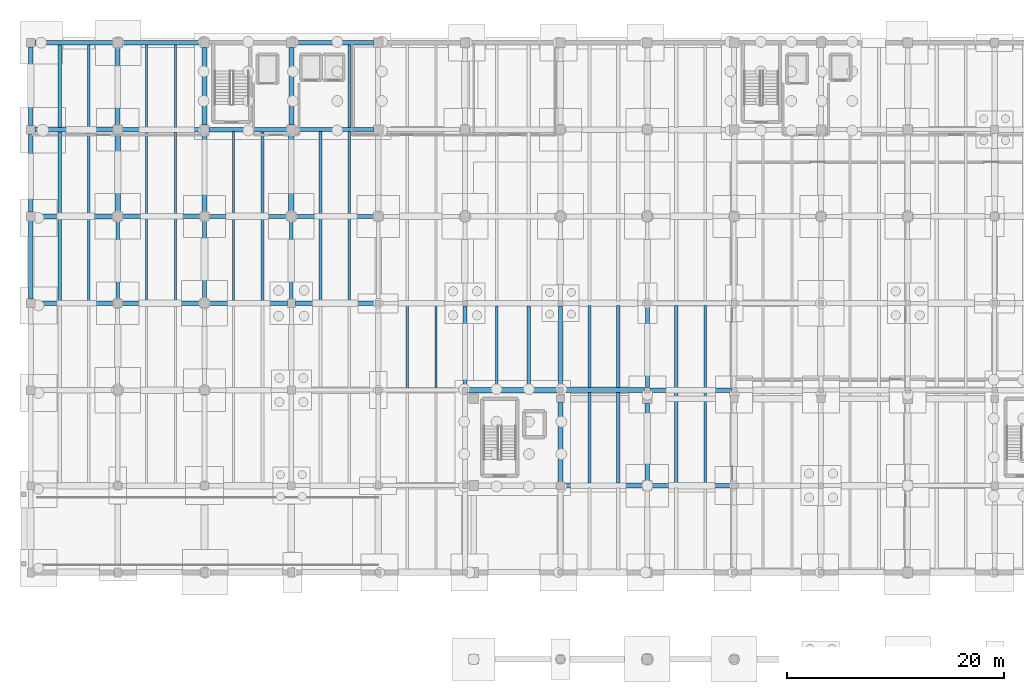
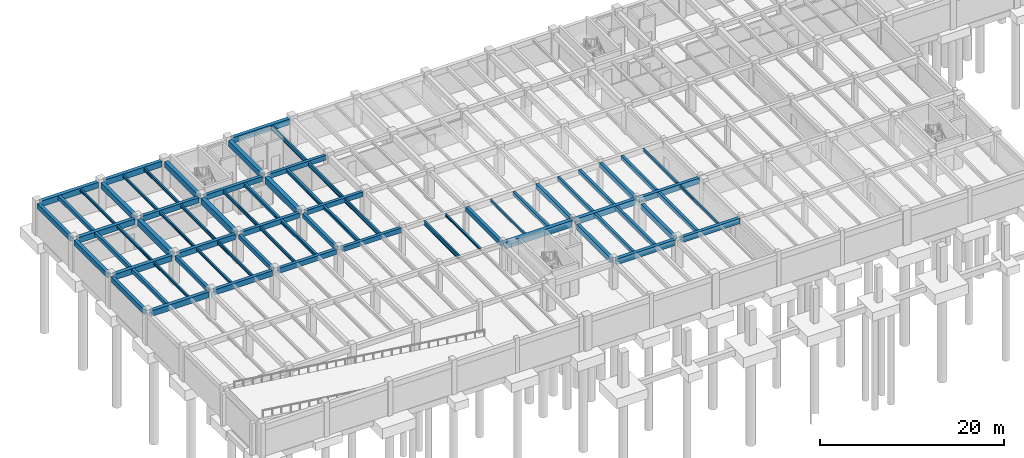
# One storey, part 9 of 25: 70 beams.
"""IFC4 building model written with IfcOpenShell, lengths in metres."""

from ifc_helpers import new_model, si_unit, direction, frame, origin, origin_2d, place, context, subcontext, project, spatial, rectangle, i_section, extrude, material, material_profile, profile_set, type_object, element, save


model = new_model("IFC4")

# Units and contexts
model_context = context("Model", 3, precision=1e-05, world=origin(), true_north=direction((0.0, 1.0)))
body_context = subcontext(model_context, "Body", "Model", "MODEL_VIEW")
ifc_project = project(units=[si_unit("LENGTHUNIT", "METRE"), si_unit("AREAUNIT", "SQUARE_METRE"), si_unit("VOLUMEUNIT", "CUBIC_METRE"), si_unit("PLANEANGLEUNIT", "RADIAN"), si_unit("MASSUNIT", "GRAM", prefix="KILO")], contexts=[model_context])

# Site, building, storey
site_placement = place(None, origin())
site = spatial("IfcSite", under=ifc_project, at=site_placement, CompositionType="ELEMENT")
building_placement = place(site_placement, origin())
building = spatial("IfcBuilding", under=site, at=building_placement, Name="Tlaxcora Railside Police Headquarters", CompositionType="ELEMENT")
storey_placement = place(building_placement, frame((0.0, 0.0, -4.199951171875)))
storey = spatial("IfcBuildingStorey", under=building, at=storey_placement, Name="B1", CompositionType="ELEMENT", Elevation=-4.199951171875)

# Beams
ifc_material_1 = material(Name="Concrete C40/50", Category="concrete")
ifc_material_profile_1 = material_profile(ifc_material_1, rectangle(XDim=0.39990234375, YDim=0.64990234375, at=origin_2d()), Name="RC400X650")
ifc_profile_set_1 = profile_set([ifc_material_profile_1], Name="Concrete C40/50")
beam_type_1 = type_object("IfcBeamType", Name="Perimeter Spandrel Beam BM-46", PredefinedType="SPANDREL", material=ifc_profile_set_1)
for number, where, z_axis, x_axis, name in (
    (1, (5.199951171875, 69.18994140625, 3.454833984375), (0.0, 1.0, 0.0), (-1.0, 0.0, 0.0), "V5 B1 Y-girder X=5.2"),
    (2, (5.199951171875, 77.18994140625, 3.454833984375), (0.0, 1.0, 0.0), (-1.0, 0.0, 0.0), "V5 B1 Y-girder X=5.2"),
    (3, (5.199951171875, 85.18994140625, 3.454833984375), (0.0, 1.0, 0.0), (-1.0, 0.0, 0.0), "V5 B1 Y-girder X=5.2"),
):
    element("IfcBeam", number, at=place(storey_placement, frame(where, z_axis=z_axis, x_axis=x_axis)), inside=storey, type_object=beam_type_1, Name=name, PredefinedType="SPANDREL", context=body_context, shape_type="SweptSolid", body=[
        extrude(rectangle(XDim=0.39990234375, YDim=0.64990234375, at=origin_2d()), origin(), (0.0, 0.0, 1.0), 7.219970703125),
    ])
ifc_material_profile_2 = material_profile(ifc_material_1, rectangle(XDim=0.449951171875, YDim=0.75, at=origin_2d()), Name="RC450X750")
ifc_profile_set_2 = profile_set([ifc_material_profile_2], Name="Concrete C40/50")
beam_type_2 = type_object("IfcBeamType", Name="Perimeter Spandrel Beam BM-86", PredefinedType="SPANDREL", material=ifc_profile_set_2)
beam_1_placement = place(storey_placement, frame((5.590087890625, 92.800048828125, 3.405029296875), z_axis=(1.0, 0.0, 0.0), x_axis=(0.0, 1.0, 0.0)))
element("IfcBeam", 4, at=beam_1_placement, inside=storey, type_object=beam_type_2, Name="V5 B1 X-girder Y=92.8", PredefinedType="SPANDREL", context=body_context, shape_type="SweptSolid", body=[
    extrude(rectangle(XDim=0.449951171875, YDim=0.75, at=origin_2d()), origin(), (0.0, 0.0, 1.0), 7.19482421875),
])
for number, where, z_axis, x_axis, name in (
    (5, (13.614990234375, 92.800048828125, 3.405029296875), (1.0, 0.0, 0.0), (0.0, 1.0, 0.0), "V5 B1 X-girder Y=92.8"),
    (6, (29.614990234375, 92.800048828125, 3.405029296875), (1.0, 0.0, 0.0), (0.0, 1.0, 0.0), "V5 B1 X-girder Y=92.8"),
):
    element("IfcBeam", number, at=place(storey_placement, frame(where, z_axis=z_axis, x_axis=x_axis)), inside=storey, type_object=beam_type_2, Name=name, PredefinedType="SPANDREL", context=body_context, shape_type="SweptSolid", body=[
        extrude(rectangle(XDim=0.449951171875, YDim=0.75, at=origin_2d()), origin(), (0.0, 0.0, 1.0), 7.169921875),
    ])
ifc_material_profile_3 = material_profile(ifc_material_1, rectangle(XDim=0.3798828125, YDim=0.60009765625, at=origin_2d()), Name="RC380X600")
ifc_profile_set_3 = profile_set([ifc_material_profile_3], Name="Concrete C40/50")
beam_type_3 = type_object("IfcBeamType", Name="Primary Frame Girder BM-22", PredefinedType="BEAM", material=ifc_profile_set_3)
beam_2_placement = place(storey_placement, frame((29.56494140625, 68.800048828125, 3.47998046875), z_axis=(1.0, 0.0, 0.0), x_axis=(0.0, 1.0, 0.0)))
element("IfcBeam", 7, at=beam_2_placement, inside=storey, type_object=beam_type_3, Name="V5 B1 X-girder Y=68.8", PredefinedType="BEAM", context=body_context, shape_type="SweptSolid", body=[
    extrude(rectangle(XDim=0.3798828125, YDim=0.60009765625, at=origin_2d()), origin(), (0.0, 0.0, 1.0), 7.39501953125),
])
for number, where, z_axis, x_axis, name in (
    (8, (29.614990234375, 76.800048828125, 3.47998046875), (1.0, 0.0, 0.0), (0.0, 1.0, 0.0), "V5 B1 X-girder Y=76.8"),
    (9, (29.614990234375, 84.800048828125, 3.47998046875), (1.0, 0.0, 0.0), (0.0, 1.0, 0.0), "V5 B1 X-girder Y=84.8"),
):
    element("IfcBeam", number, at=place(storey_placement, frame(where, z_axis=z_axis, x_axis=x_axis)), inside=storey, type_object=beam_type_3, Name=name, PredefinedType="BEAM", context=body_context, shape_type="SweptSolid", body=[
        extrude(rectangle(XDim=0.3798828125, YDim=0.60009765625, at=origin_2d()), origin(), (0.0, 0.0, 1.0), 7.169921875),
    ])
for number, where, z_axis, x_axis, name in (
    (10, (45.199951171875, 61.0400390625, 3.47998046875), (0.0, 1.0, 0.0), (-1.0, 0.0, 0.0), "V5 B1 Y-girder X=45.2"),
    (11, (54.0, 61.0400390625, 3.47998046875), (0.0, 1.0, 0.0), (-1.0, 0.0, 0.0), "V5 B1 Y-girder X=54.0"),
    (12, (62.0, 61.0400390625, 3.47998046875), (0.0, 1.0, 0.0), (-1.0, 0.0, 0.0), "V5 B1 Y-girder X=62.0"),
):
    element("IfcBeam", number, at=place(storey_placement, frame(where, z_axis=z_axis, x_axis=x_axis)), inside=storey, type_object=beam_type_3, Name=name, PredefinedType="BEAM", context=body_context, shape_type="SweptSolid", body=[
        extrude(rectangle(XDim=0.3798828125, YDim=0.60009765625, at=origin_2d()), origin(), (0.0, 0.0, 1.0), 7.52001953125),
    ])
ifc_material_profile_4 = material_profile(ifc_material_1, rectangle(XDim=0.419921875, YDim=0.699951171875, at=origin_2d()), Name="RC420X700")
ifc_profile_set_4 = profile_set([ifc_material_profile_4], Name="Concrete C40/50")
beam_type_4 = type_object("IfcBeamType", Name="Primary Frame Girder BM-35", PredefinedType="BEAM", material=ifc_profile_set_4)
beam_3_placement = place(storey_placement, frame((62.43994140625, 52.0, 3.429931640625), z_axis=(1.0, 0.0, 0.0), x_axis=(0.0, 1.0, 0.0)))
element("IfcBeam", 13, at=beam_3_placement, inside=storey, type_object=beam_type_4, Name="V5 B1 X-girder Y=52.0", PredefinedType="BEAM", context=body_context, shape_type="SweptSolid", body=[
    extrude(rectangle(XDim=0.419921875, YDim=0.699951171875, at=origin_2d()), origin(), (0.0, 0.0, 1.0), 7.320068359375),
])
beam_4_placement = place(storey_placement, frame((62.239990234375, 60.800048828125, 3.429931640625), z_axis=(1.0, 0.0, 0.0), x_axis=(0.0, 1.0, 0.0)))
element("IfcBeam", 14, at=beam_4_placement, inside=storey, type_object=beam_type_4, Name="V5 B1 X-girder Y=60.8", PredefinedType="BEAM", context=body_context, shape_type="SweptSolid", body=[
    extrude(rectangle(XDim=0.419921875, YDim=0.699951171875, at=origin_2d()), origin(), (0.0, 0.0, 1.0), 7.52001953125),
])
beam_5_placement = place(storey_placement, frame((13.590087890625, 68.800048828125, 3.429931640625), z_axis=(1.0, 0.0, 0.0), x_axis=(0.0, 1.0, 0.0)))
element("IfcBeam", 15, at=beam_5_placement, inside=storey, type_object=beam_type_4, Name="V5 B1 X-girder Y=68.8", PredefinedType="BEAM", context=body_context, shape_type="SweptSolid", body=[
    extrude(rectangle(XDim=0.419921875, YDim=0.699951171875, at=origin_2d()), origin(), (0.0, 0.0, 1.0), 7.219970703125),
])
for number, where, z_axis, x_axis, name in (
    (16, (13.614990234375, 76.800048828125, 3.429931640625), (1.0, 0.0, 0.0), (0.0, 1.0, 0.0), "V5 B1 X-girder Y=76.8"),
    (17, (13.614990234375, 84.800048828125, 3.429931640625), (1.0, 0.0, 0.0), (0.0, 1.0, 0.0), "V5 B1 X-girder Y=84.8"),
):
    element("IfcBeam", number, at=place(storey_placement, frame(where, z_axis=z_axis, x_axis=x_axis)), inside=storey, type_object=beam_type_4, Name=name, PredefinedType="BEAM", context=body_context, shape_type="SweptSolid", body=[
        extrude(rectangle(XDim=0.419921875, YDim=0.699951171875, at=origin_2d()), origin(), (0.0, 0.0, 1.0), 7.169921875),
    ])
beam_6_placement = place(storey_placement, frame((54.0, 52.340087890625, 3.429931640625), z_axis=(0.0, 1.0, 0.0), x_axis=(-1.0, 0.0, 0.0)))
element("IfcBeam", 18, at=beam_6_placement, inside=storey, type_object=beam_type_4, Name="V5 B1 Y-girder X=54.0", PredefinedType="BEAM", context=body_context, shape_type="SweptSolid", body=[
    extrude(rectangle(XDim=0.419921875, YDim=0.699951171875, at=origin_2d()), origin(), (0.0, 0.0, 1.0), 7.31982421875),
])
beam_7_placement = place(storey_placement, frame((62.0, 52.43994140625, 3.429931640625), z_axis=(0.0, 1.0, 0.0), x_axis=(-1.0, 0.0, 0.0)))
element("IfcBeam", 19, at=beam_7_placement, inside=storey, type_object=beam_type_4, Name="V5 B1 Y-girder X=62.0", PredefinedType="BEAM", context=body_context, shape_type="SweptSolid", body=[
    extrude(rectangle(XDim=0.419921875, YDim=0.699951171875, at=origin_2d()), origin(), (0.0, 0.0, 1.0), 7.1201171875),
])
ifc_material_profile_5 = material_profile(ifc_material_1, rectangle(XDim=0.35009765625, YDim=0.550048828125, at=origin_2d()), Name="RC350X550")
ifc_profile_set_5 = profile_set([ifc_material_profile_5], Name="Concrete C40/50")
beam_type_5 = type_object("IfcBeamType", Name="Primary Frame Girder BM-39", PredefinedType="BEAM", material=ifc_profile_set_5)
for number, where, z_axis, x_axis, name in (
    (20, (13.199951171875, 69.18994140625, 3.5048828125), (0.0, 1.0, 0.0), (-1.0, 0.0, 0.0), "V5 B1 Y-girder X=13.2"),
    (21, (21.199951171875, 69.18994140625, 3.5048828125), (0.0, 1.0, 0.0), (-1.0, 0.0, 0.0), "V5 B1 Y-girder X=21.2"),
):
    element("IfcBeam", number, at=place(storey_placement, frame(where, z_axis=z_axis, x_axis=x_axis)), inside=storey, type_object=beam_type_5, Name=name, PredefinedType="BEAM", context=body_context, shape_type="SweptSolid", body=[
        extrude(rectangle(XDim=0.35009765625, YDim=0.550048828125, at=origin_2d()), origin(), (0.0, 0.0, 1.0), 7.195068359375),
    ])
beam_8_placement = place(storey_placement, frame((29.199951171875, 69.1650390625, 3.5048828125), z_axis=(0.0, 1.0, 0.0), x_axis=(-1.0, 0.0, 0.0)))
element("IfcBeam", 22, at=beam_8_placement, inside=storey, type_object=beam_type_5, Name="V5 B1 Y-girder X=29.2", PredefinedType="BEAM", context=body_context, shape_type="SweptSolid", body=[
    extrude(rectangle(XDim=0.35009765625, YDim=0.550048828125, at=origin_2d()), origin(), (0.0, 0.0, 1.0), 7.219970703125),
])
ifc_material_profile_6 = material_profile(ifc_material_1, rectangle(XDim=0.39990234375, YDim=0.64990234375, at=origin_2d()), Name="RC400X650")
ifc_profile_set_6 = profile_set([ifc_material_profile_6], Name="Concrete C40/50")
beam_type_6 = type_object("IfcBeamType", Name="Primary Frame Girder BM-41", PredefinedType="BEAM", material=ifc_profile_set_6)
beam_9_placement = place(storey_placement, frame((21.590087890625, 68.800048828125, 3.454833984375), z_axis=(1.0, 0.0, 0.0), x_axis=(0.0, 1.0, 0.0)))
element("IfcBeam", 23, at=beam_9_placement, inside=storey, type_object=beam_type_6, Name="V5 B1 X-girder Y=68.8", PredefinedType="BEAM", context=body_context, shape_type="SweptSolid", body=[
    extrude(rectangle(XDim=0.39990234375, YDim=0.64990234375, at=origin_2d()), origin(), (0.0, 0.0, 1.0), 7.244873046875),
])
for number, where, z_axis, x_axis, name in (
    (24, (21.614990234375, 76.800048828125, 3.454833984375), (1.0, 0.0, 0.0), (0.0, 1.0, 0.0), "V5 B1 X-girder Y=76.8"),
    (25, (21.614990234375, 84.800048828125, 3.454833984375), (1.0, 0.0, 0.0), (0.0, 1.0, 0.0), "V5 B1 X-girder Y=84.8"),
):
    element("IfcBeam", number, at=place(storey_placement, frame(where, z_axis=z_axis, x_axis=x_axis)), inside=storey, type_object=beam_type_6, Name=name, PredefinedType="BEAM", context=body_context, shape_type="SweptSolid", body=[
        extrude(rectangle(XDim=0.39990234375, YDim=0.64990234375, at=origin_2d()), origin(), (0.0, 0.0, 1.0), 7.169921875),
    ])
ifc_material_profile_7 = material_profile(ifc_material_1, rectangle(XDim=0.5, YDim=0.85009765625, at=origin_2d()), Name="RC500X850")
ifc_profile_set_7 = profile_set([ifc_material_profile_7], Name="Concrete C40/50")
beam_type_7 = type_object("IfcBeamType", Name="Primary Frame Girder BM-64", PredefinedType="BEAM", material=ifc_profile_set_7)
beam_10_placement = place(storey_placement, frame((45.43994140625, 60.800048828125, 3.35498046875), z_axis=(1.0, 0.0, 0.0), x_axis=(0.0, 1.0, 0.0)))
element("IfcBeam", 26, at=beam_10_placement, inside=storey, type_object=beam_type_7, Name="V5 B1 X-girder Y=60.8", PredefinedType="BEAM", context=body_context, shape_type="SweptSolid", body=[
    extrude(rectangle(XDim=0.5, YDim=0.85009765625, at=origin_2d()), origin(), (0.0, 0.0, 1.0), 8.320068359375),
])
for number, where, z_axis, x_axis, name in (
    (27, (13.199951171875, 77.215087890625, 3.35498046875), (0.0, 1.0, 0.0), (-1.0, 0.0, 0.0), "V5 B1 Y-girder X=13.2"),
    (28, (21.199951171875, 77.215087890625, 3.35498046875), (0.0, 1.0, 0.0), (-1.0, 0.0, 0.0), "V5 B1 Y-girder X=21.2"),
    (29, (29.199951171875, 77.215087890625, 3.35498046875), (0.0, 1.0, 0.0), (-1.0, 0.0, 0.0), "V5 B1 Y-girder X=29.2"),
):
    element("IfcBeam", number, at=place(storey_placement, frame(where, z_axis=z_axis, x_axis=x_axis)), inside=storey, type_object=beam_type_7, Name=name, PredefinedType="BEAM", context=body_context, shape_type="SweptSolid", body=[
        extrude(rectangle(XDim=0.5, YDim=0.85009765625, at=origin_2d()), origin(), (0.0, 0.0, 1.0), 7.169921875),
    ])
ifc_material_profile_8 = material_profile(ifc_material_1, rectangle(XDim=0.449951171875, YDim=0.75, at=origin_2d()), Name="RC450X750")
ifc_profile_set_8 = profile_set([ifc_material_profile_8], Name="Concrete C40/50")
beam_type_8 = type_object("IfcBeamType", Name="Primary Frame Girder BM-73", PredefinedType="BEAM", material=ifc_profile_set_8)
beam_11_placement = place(storey_placement, frame((54.340087890625, 52.0, 3.405029296875), z_axis=(1.0, 0.0, 0.0), x_axis=(0.0, 1.0, 0.0)))
element("IfcBeam", 30, at=beam_11_placement, inside=storey, type_object=beam_type_8, Name="V5 B1 X-girder Y=52.0", PredefinedType="BEAM", context=body_context, shape_type="SweptSolid", body=[
    extrude(rectangle(XDim=0.449951171875, YDim=0.75, at=origin_2d()), origin(), (0.0, 0.0, 1.0), 7.219970703125),
])
beam_12_placement = place(storey_placement, frame((54.239990234375, 60.800048828125, 3.405029296875), z_axis=(1.0, 0.0, 0.0), x_axis=(0.0, 1.0, 0.0)))
element("IfcBeam", 31, at=beam_12_placement, inside=storey, type_object=beam_type_8, Name="V5 B1 X-girder Y=60.8", PredefinedType="BEAM", context=body_context, shape_type="SweptSolid", body=[
    extrude(rectangle(XDim=0.449951171875, YDim=0.75, at=origin_2d()), origin(), (0.0, 0.0, 1.0), 7.52001953125),
])
beam_13_placement = place(storey_placement, frame((5.590087890625, 68.800048828125, 3.405029296875), z_axis=(1.0, 0.0, 0.0), x_axis=(0.0, 1.0, 0.0)))
element("IfcBeam", 32, at=beam_13_placement, inside=storey, type_object=beam_type_8, Name="V5 B1 X-girder Y=68.8", PredefinedType="BEAM", context=body_context, shape_type="SweptSolid", body=[
    extrude(rectangle(XDim=0.449951171875, YDim=0.75, at=origin_2d()), origin(), (0.0, 0.0, 1.0), 7.219970703125),
])
for number, where, z_axis, x_axis, name in (
    (33, (5.590087890625, 76.800048828125, 3.405029296875), (1.0, 0.0, 0.0), (0.0, 1.0, 0.0), "V5 B1 X-girder Y=76.8"),
    (34, (5.590087890625, 84.800048828125, 3.405029296875), (1.0, 0.0, 0.0), (0.0, 1.0, 0.0), "V5 B1 X-girder Y=84.8"),
):
    element("IfcBeam", number, at=place(storey_placement, frame(where, z_axis=z_axis, x_axis=x_axis)), inside=storey, type_object=beam_type_8, Name=name, PredefinedType="BEAM", context=body_context, shape_type="SweptSolid", body=[
        extrude(rectangle(XDim=0.449951171875, YDim=0.75, at=origin_2d()), origin(), (0.0, 0.0, 1.0), 7.19482421875),
    ])
for number, where, z_axis, x_axis, name in (
    (35, (13.199951171875, 85.215087890625, 3.405029296875), (0.0, 1.0, 0.0), (-1.0, 0.0, 0.0), "V5 B1 Y-girder X=13.2"),
    (36, (21.199951171875, 85.215087890625, 3.405029296875), (0.0, 1.0, 0.0), (-1.0, 0.0, 0.0), "V5 B1 Y-girder X=21.2"),
    (37, (29.199951171875, 85.215087890625, 3.405029296875), (0.0, 1.0, 0.0), (-1.0, 0.0, 0.0), "V5 B1 Y-girder X=29.2"),
):
    element("IfcBeam", number, at=place(storey_placement, frame(where, z_axis=z_axis, x_axis=x_axis)), inside=storey, type_object=beam_type_8, Name=name, PredefinedType="BEAM", context=body_context, shape_type="SweptSolid", body=[
        extrude(rectangle(XDim=0.449951171875, YDim=0.75, at=origin_2d()), origin(), (0.0, 0.0, 1.0), 7.169921875),
    ])
ifc_material_2 = material(Name="Concrete C35/45", Category="concrete")
ifc_material_profile_9 = material_profile(ifc_material_2, rectangle(XDim=0.300048828125, YDim=0.449951171875, at=origin_2d()), Name="RC300X450")
ifc_profile_set_9 = profile_set([ifc_material_profile_9], Name="Concrete C35/45")
beam_type_9 = type_object("IfcBeamType", Name="Secondary Floor Joist BM-27", PredefinedType="JOIST", material=ifc_profile_set_9)
beam_14_placement = place(storey_placement, frame((56.666748046875, 52.217041015625, 3.554931640625), z_axis=(0.0, 1.0, 0.0), x_axis=(-1.0, 0.0, 0.0)))
element("IfcBeam", 38, at=beam_14_placement, inside=storey, type_object=beam_type_9, Name="V5 B1 floor joist X=56.67", PredefinedType="JOIST", context=body_context, shape_type="SweptSolid", body=[
    extrude(rectangle(XDim=0.300048828125, YDim=0.449951171875, at=origin_2d()), origin(), (0.0, 0.0, 1.0), 8.365966796875),
])
beam_15_placement = place(storey_placement, frame((51.066650390625, 61.0419921875, 3.554931640625), z_axis=(0.0, 1.0, 0.0), x_axis=(-1.0, 0.0, 0.0)))
element("IfcBeam", 39, at=beam_15_placement, inside=storey, type_object=beam_type_9, Name="V5 B1 floor joist X=51.07", PredefinedType="JOIST", context=body_context, shape_type="SweptSolid", body=[
    extrude(rectangle(XDim=0.300048828125, YDim=0.449951171875, at=origin_2d()), origin(), (0.0, 0.0, 1.0), 7.51611328125),
])
beam_16_placement = place(storey_placement, frame((56.666748046875, 61.01708984375, 3.554931640625), z_axis=(0.0, 1.0, 0.0), x_axis=(-1.0, 0.0, 0.0)))
element("IfcBeam", 40, at=beam_16_placement, inside=storey, type_object=beam_type_9, Name="V5 B1 floor joist X=56.67", PredefinedType="JOIST", context=body_context, shape_type="SweptSolid", body=[
    extrude(rectangle(XDim=0.300048828125, YDim=0.449951171875, at=origin_2d()), origin(), (0.0, 0.0, 1.0), 7.56591796875),
])
ifc_material_3 = material(Name="Steel ASTM A992 Grade 50", Category="steel")
ifc_material_profile_10 = material_profile(ifc_material_3, i_section(OverallWidth=0.280029296875, OverallDepth=0.4619140625, WebThickness=0.0107421875, FlangeThickness=0.017333984375, at=origin_2d()), Name="W18X76")
ifc_profile_set_10 = profile_set([ifc_material_profile_10], Name="Steel ASTM A992 Grade 50")
beam_type_10 = type_object("IfcBeamType", Name="Secondary Floor Joist BM-44", PredefinedType="JOIST", material=ifc_profile_set_10)
beam_17_placement = place(storey_placement, frame((26.533203125, 68.991943359375, 3.549072265625), z_axis=(0.0, 1.0, 0.0), x_axis=(-1.0, 0.0, 0.0)))
element("IfcBeam", 41, at=beam_17_placement, inside=storey, type_object=beam_type_10, Name="V5 B1 floor joist X=26.53", PredefinedType="JOIST", context=body_context, shape_type="SweptSolid", body=[
    extrude(i_section(OverallWidth=0.280029296875, OverallDepth=0.4619140625, WebThickness=0.0107421875, FlangeThickness=0.017333984375, at=origin_2d()), origin(), (0.0, 0.0, 1.0), 7.615966796875),
])
beam_18_placement = place(storey_placement, frame((31.86669921875, 68.98193359375, 3.549072265625), z_axis=(0.0, 1.0, 0.0), x_axis=(-1.0, 0.0, 0.0)))
element("IfcBeam", 42, at=beam_18_placement, inside=storey, type_object=beam_type_10, Name="V5 B1 floor joist X=31.87", PredefinedType="JOIST", context=body_context, shape_type="SweptSolid", body=[
    extrude(i_section(OverallWidth=0.280029296875, OverallDepth=0.4619140625, WebThickness=0.0107421875, FlangeThickness=0.017333984375, at=origin_2d()), origin(), (0.0, 0.0, 1.0), 7.635986328125),
])
beam_19_placement = place(storey_placement, frame((26.533203125, 76.991943359375, 3.549072265625), z_axis=(0.0, 1.0, 0.0), x_axis=(-1.0, 0.0, 0.0)))
element("IfcBeam", 43, at=beam_19_placement, inside=storey, type_object=beam_type_10, Name="V5 B1 floor joist X=26.53", PredefinedType="JOIST", context=body_context, shape_type="SweptSolid", body=[
    extrude(i_section(OverallWidth=0.280029296875, OverallDepth=0.4619140625, WebThickness=0.0107421875, FlangeThickness=0.017333984375, at=origin_2d()), origin(), (0.0, 0.0, 1.0), 7.615966796875),
])
beam_20_placement = place(storey_placement, frame((31.86669921875, 76.98193359375, 3.549072265625), z_axis=(0.0, 1.0, 0.0), x_axis=(-1.0, 0.0, 0.0)))
element("IfcBeam", 44, at=beam_20_placement, inside=storey, type_object=beam_type_10, Name="V5 B1 floor joist X=31.87", PredefinedType="JOIST", context=body_context, shape_type="SweptSolid", body=[
    extrude(i_section(OverallWidth=0.280029296875, OverallDepth=0.4619140625, WebThickness=0.0107421875, FlangeThickness=0.017333984375, at=origin_2d()), origin(), (0.0, 0.0, 1.0), 7.635986328125),
])
ifc_material_profile_11 = material_profile(ifc_material_3, i_section(OverallWidth=0.2041015625, OverallDepth=0.35009765625, WebThickness=0.008544921875, FlangeThickness=0.01513671875, at=origin_2d()), Name="W14X48")
ifc_profile_set_11 = profile_set([ifc_material_profile_11], Name="Steel ASTM A992 Grade 50")
beam_type_11 = type_object("IfcBeamType", Name="Secondary Floor Joist BM-65", PredefinedType="JOIST", material=ifc_profile_set_11)
beam_21_placement = place(storey_placement, frame((67.333251953125, 52.201904296875, 3.60498046875), z_axis=(0.0, 1.0, 0.0), x_axis=(-1.0, 0.0, 0.0)))
element("IfcBeam", 45, at=beam_21_placement, inside=storey, type_object=beam_type_11, Name="V5 B1 floor joist X=67.33", PredefinedType="JOIST", context=body_context, shape_type="SweptSolid", body=[
    extrude(i_section(OverallWidth=0.2041015625, OverallDepth=0.35009765625, WebThickness=0.008544921875, FlangeThickness=0.01513671875, at=origin_2d()), origin(), (0.0, 0.0, 1.0), 8.39599609375),
])
beam_22_placement = place(storey_placement, frame((67.333251953125, 61.001953125, 3.60498046875), z_axis=(0.0, 1.0, 0.0), x_axis=(-1.0, 0.0, 0.0)))
element("IfcBeam", 46, at=beam_22_placement, inside=storey, type_object=beam_type_11, Name="V5 B1 floor joist X=67.33", PredefinedType="JOIST", context=body_context, shape_type="SweptSolid", body=[
    extrude(i_section(OverallWidth=0.2041015625, OverallDepth=0.35009765625, WebThickness=0.008544921875, FlangeThickness=0.01513671875, at=origin_2d()), origin(), (0.0, 0.0, 1.0), 7.595947265625),
])
beam_23_placement = place(storey_placement, frame((10.533203125, 69.01708984375, 3.60498046875), z_axis=(0.0, 1.0, 0.0), x_axis=(-1.0, 0.0, 0.0)))
element("IfcBeam", 47, at=beam_23_placement, inside=storey, type_object=beam_type_11, Name="V5 B1 floor joist X=10.53", PredefinedType="JOIST", context=body_context, shape_type="SweptSolid", body=[
    extrude(i_section(OverallWidth=0.2041015625, OverallDepth=0.35009765625, WebThickness=0.008544921875, FlangeThickness=0.01513671875, at=origin_2d()), origin(), (0.0, 0.0, 1.0), 7.56591796875),
])
beam_24_placement = place(storey_placement, frame((15.86669921875, 69.001953125, 3.60498046875), z_axis=(0.0, 1.0, 0.0), x_axis=(-1.0, 0.0, 0.0)))
element("IfcBeam", 48, at=beam_24_placement, inside=storey, type_object=beam_type_11, Name="V5 B1 floor joist X=15.87", PredefinedType="JOIST", context=body_context, shape_type="SweptSolid", body=[
    extrude(i_section(OverallWidth=0.2041015625, OverallDepth=0.35009765625, WebThickness=0.008544921875, FlangeThickness=0.01513671875, at=origin_2d()), origin(), (0.0, 0.0, 1.0), 7.595947265625),
])
beam_25_placement = place(storey_placement, frame((10.533203125, 77.01708984375, 3.60498046875), z_axis=(0.0, 1.0, 0.0), x_axis=(-1.0, 0.0, 0.0)))
element("IfcBeam", 49, at=beam_25_placement, inside=storey, type_object=beam_type_11, Name="V5 B1 floor joist X=10.53", PredefinedType="JOIST", context=body_context, shape_type="SweptSolid", body=[
    extrude(i_section(OverallWidth=0.2041015625, OverallDepth=0.35009765625, WebThickness=0.008544921875, FlangeThickness=0.01513671875, at=origin_2d()), origin(), (0.0, 0.0, 1.0), 7.56591796875),
])
beam_26_placement = place(storey_placement, frame((15.86669921875, 77.001953125, 3.60498046875), z_axis=(0.0, 1.0, 0.0), x_axis=(-1.0, 0.0, 0.0)))
element("IfcBeam", 50, at=beam_26_placement, inside=storey, type_object=beam_type_11, Name="V5 B1 floor joist X=15.87", PredefinedType="JOIST", context=body_context, shape_type="SweptSolid", body=[
    extrude(i_section(OverallWidth=0.2041015625, OverallDepth=0.35009765625, WebThickness=0.008544921875, FlangeThickness=0.01513671875, at=origin_2d()), origin(), (0.0, 0.0, 1.0), 7.595947265625),
])
beam_27_placement = place(storey_placement, frame((10.533203125, 85.01708984375, 3.60498046875), z_axis=(0.0, 1.0, 0.0), x_axis=(-1.0, 0.0, 0.0)))
element("IfcBeam", 51, at=beam_27_placement, inside=storey, type_object=beam_type_11, Name="V5 B1 floor joist X=10.53", PredefinedType="JOIST", context=body_context, shape_type="SweptSolid", body=[
    extrude(i_section(OverallWidth=0.2041015625, OverallDepth=0.35009765625, WebThickness=0.008544921875, FlangeThickness=0.01513671875, at=origin_2d()), origin(), (0.0, 0.0, 1.0), 7.56591796875),
])
beam_28_placement = place(storey_placement, frame((15.86669921875, 85.001953125, 3.60498046875), z_axis=(0.0, 1.0, 0.0), x_axis=(-1.0, 0.0, 0.0)))
element("IfcBeam", 52, at=beam_28_placement, inside=storey, type_object=beam_type_11, Name="V5 B1 floor joist X=15.87", PredefinedType="JOIST", context=body_context, shape_type="SweptSolid", body=[
    extrude(i_section(OverallWidth=0.2041015625, OverallDepth=0.35009765625, WebThickness=0.008544921875, FlangeThickness=0.01513671875, at=origin_2d()), origin(), (0.0, 0.0, 1.0), 7.5810546875),
])
ifc_material_profile_12 = material_profile(ifc_material_3, i_section(OverallWidth=0.180908203125, OverallDepth=0.4169921875, WebThickness=0.010009765625, FlangeThickness=0.018310546875, at=origin_2d()), Name="W16X57")
ifc_profile_set_12 = profile_set([ifc_material_profile_12], Name="Steel ASTM A992 Grade 50")
beam_type_12 = type_object("IfcBeamType", Name="Secondary Floor Joist BM-84", PredefinedType="JOIST", material=ifc_profile_set_12)
beam_29_placement = place(storey_placement, frame((18.533203125, 69.001953125, 3.571533203125), z_axis=(0.0, 1.0, 0.0), x_axis=(-1.0, 0.0, 0.0)))
element("IfcBeam", 53, at=beam_29_placement, inside=storey, type_object=beam_type_12, Name="V5 B1 floor joist X=18.53", PredefinedType="JOIST", context=body_context, shape_type="SweptSolid", body=[
    extrude(i_section(OverallWidth=0.180908203125, OverallDepth=0.4169921875, WebThickness=0.010009765625, FlangeThickness=0.018310546875, at=origin_2d()), origin(), (0.0, 0.0, 1.0), 7.595947265625),
])
beam_30_placement = place(storey_placement, frame((23.86669921875, 68.991943359375, 3.571533203125), z_axis=(0.0, 1.0, 0.0), x_axis=(-1.0, 0.0, 0.0)))
element("IfcBeam", 54, at=beam_30_placement, inside=storey, type_object=beam_type_12, Name="V5 B1 floor joist X=23.87", PredefinedType="JOIST", context=body_context, shape_type="SweptSolid", body=[
    extrude(i_section(OverallWidth=0.180908203125, OverallDepth=0.4169921875, WebThickness=0.010009765625, FlangeThickness=0.018310546875, at=origin_2d()), origin(), (0.0, 0.0, 1.0), 7.615966796875),
])
beam_31_placement = place(storey_placement, frame((18.533203125, 77.001953125, 3.571533203125), z_axis=(0.0, 1.0, 0.0), x_axis=(-1.0, 0.0, 0.0)))
element("IfcBeam", 55, at=beam_31_placement, inside=storey, type_object=beam_type_12, Name="V5 B1 floor joist X=18.53", PredefinedType="JOIST", context=body_context, shape_type="SweptSolid", body=[
    extrude(i_section(OverallWidth=0.180908203125, OverallDepth=0.4169921875, WebThickness=0.010009765625, FlangeThickness=0.018310546875, at=origin_2d()), origin(), (0.0, 0.0, 1.0), 7.595947265625),
])
beam_32_placement = place(storey_placement, frame((23.86669921875, 76.991943359375, 3.571533203125), z_axis=(0.0, 1.0, 0.0), x_axis=(-1.0, 0.0, 0.0)))
element("IfcBeam", 56, at=beam_32_placement, inside=storey, type_object=beam_type_12, Name="V5 B1 floor joist X=23.87", PredefinedType="JOIST", context=body_context, shape_type="SweptSolid", body=[
    extrude(i_section(OverallWidth=0.180908203125, OverallDepth=0.4169921875, WebThickness=0.010009765625, FlangeThickness=0.018310546875, at=origin_2d()), origin(), (0.0, 0.0, 1.0), 7.615966796875),
])
beam_33_placement = place(storey_placement, frame((18.533203125, 85.001953125, 3.571533203125), z_axis=(0.0, 1.0, 0.0), x_axis=(-1.0, 0.0, 0.0)))
element("IfcBeam", 57, at=beam_33_placement, inside=storey, type_object=beam_type_12, Name="V5 B1 floor joist X=18.53", PredefinedType="JOIST", context=body_context, shape_type="SweptSolid", body=[
    extrude(i_section(OverallWidth=0.180908203125, OverallDepth=0.4169921875, WebThickness=0.010009765625, FlangeThickness=0.018310546875, at=origin_2d()), origin(), (0.0, 0.0, 1.0), 7.5810546875),
])
ifc_material_profile_13 = material_profile(ifc_material_2, rectangle(XDim=0.320068359375, YDim=0.5, at=origin_2d()), Name="RC320X500")
ifc_profile_set_13 = profile_set([ifc_material_profile_13], Name="Concrete C35/45")
beam_type_13 = type_object("IfcBeamType", Name="Secondary Floor Joist BM-88", PredefinedType="JOIST", material=ifc_profile_set_13)
beam_34_placement = place(storey_placement, frame((59.333251953125, 52.217041015625, 3.530029296875), z_axis=(0.0, 1.0, 0.0), x_axis=(-1.0, 0.0, 0.0)))
element("IfcBeam", 58, at=beam_34_placement, inside=storey, type_object=beam_type_13, Name="V5 B1 floor joist X=59.33", PredefinedType="JOIST", context=body_context, shape_type="SweptSolid", body=[
    extrude(rectangle(XDim=0.320068359375, YDim=0.5, at=origin_2d()), origin(), (0.0, 0.0, 1.0), 8.365966796875),
])
beam_35_placement = place(storey_placement, frame((64.666748046875, 52.201904296875, 3.530029296875), z_axis=(0.0, 1.0, 0.0), x_axis=(-1.0, 0.0, 0.0)))
element("IfcBeam", 59, at=beam_35_placement, inside=storey, type_object=beam_type_13, Name="V5 B1 floor joist X=64.67", PredefinedType="JOIST", context=body_context, shape_type="SweptSolid", body=[
    extrude(rectangle(XDim=0.320068359375, YDim=0.5, at=origin_2d()), origin(), (0.0, 0.0, 1.0), 8.39599609375),
])
beam_36_placement = place(storey_placement, frame((59.333251953125, 61.01708984375, 3.530029296875), z_axis=(0.0, 1.0, 0.0), x_axis=(-1.0, 0.0, 0.0)))
element("IfcBeam", 60, at=beam_36_placement, inside=storey, type_object=beam_type_13, Name="V5 B1 floor joist X=59.33", PredefinedType="JOIST", context=body_context, shape_type="SweptSolid", body=[
    extrude(rectangle(XDim=0.320068359375, YDim=0.5, at=origin_2d()), origin(), (0.0, 0.0, 1.0), 7.56591796875),
])
beam_37_placement = place(storey_placement, frame((64.666748046875, 61.001953125, 3.530029296875), z_axis=(0.0, 1.0, 0.0), x_axis=(-1.0, 0.0, 0.0)))
element("IfcBeam", 61, at=beam_37_placement, inside=storey, type_object=beam_type_13, Name="V5 B1 floor joist X=64.67", PredefinedType="JOIST", context=body_context, shape_type="SweptSolid", body=[
    extrude(rectangle(XDim=0.320068359375, YDim=0.5, at=origin_2d()), origin(), (0.0, 0.0, 1.0), 7.595947265625),
])
for number, where, z_axis, x_axis, name in (
    (62, (7.86669921875, 69.01708984375, 3.530029296875), (0.0, 1.0, 0.0), (-1.0, 0.0, 0.0), "V5 B1 floor joist X=7.87"),
    (63, (7.86669921875, 77.01708984375, 3.530029296875), (0.0, 1.0, 0.0), (-1.0, 0.0, 0.0), "V5 B1 floor joist X=7.87"),
    (64, (7.86669921875, 85.01708984375, 3.530029296875), (0.0, 1.0, 0.0), (-1.0, 0.0, 0.0), "V5 B1 floor joist X=7.87"),
):
    element("IfcBeam", number, at=place(storey_placement, frame(where, z_axis=z_axis, x_axis=x_axis)), inside=storey, type_object=beam_type_13, Name=name, PredefinedType="JOIST", context=body_context, shape_type="SweptSolid", body=[
        extrude(rectangle(XDim=0.320068359375, YDim=0.5, at=origin_2d()), origin(), (0.0, 0.0, 1.0), 7.56591796875),
    ])
ifc_material_profile_14 = material_profile(ifc_material_3, i_section(OverallWidth=0.202880859375, OverallDepth=0.302978515625, WebThickness=0.007568359375, FlangeThickness=0.01318359375, at=origin_2d()), Name="W12X40")
ifc_profile_set_14 = profile_set([ifc_material_profile_14], Name="Steel ASTM A992 Grade 50")
beam_type_14 = type_object("IfcBeamType", Name="Secondary Floor Joist BM-96", PredefinedType="JOIST", material=ifc_profile_set_14)
beam_38_placement = place(storey_placement, frame((42.533203125, 60.967041015625, 3.62841796875), z_axis=(0.0, 1.0, 0.0), x_axis=(-1.0, 0.0, 0.0)))
element("IfcBeam", 65, at=beam_38_placement, inside=storey, type_object=beam_type_14, Name="V5 B1 floor joist X=42.53", PredefinedType="JOIST", context=body_context, shape_type="SweptSolid", body=[
    extrude(i_section(OverallWidth=0.202880859375, OverallDepth=0.302978515625, WebThickness=0.007568359375, FlangeThickness=0.01318359375, at=origin_2d()), origin(), (0.0, 0.0, 1.0), 7.666015625),
])
beam_39_placement = place(storey_placement, frame((48.13330078125, 61.0419921875, 3.62841796875), z_axis=(0.0, 1.0, 0.0), x_axis=(-1.0, 0.0, 0.0)))
element("IfcBeam", 66, at=beam_39_placement, inside=storey, type_object=beam_type_14, Name="V5 B1 floor joist X=48.13", PredefinedType="JOIST", context=body_context, shape_type="SweptSolid", body=[
    extrude(i_section(OverallWidth=0.202880859375, OverallDepth=0.302978515625, WebThickness=0.007568359375, FlangeThickness=0.01318359375, at=origin_2d()), origin(), (0.0, 0.0, 1.0), 7.51611328125),
])
ifc_material_profile_15 = material_profile(ifc_material_3, i_section(OverallWidth=0.214111328125, OverallDepth=0.549072265625, WebThickness=0.0146484375, FlangeThickness=0.023681640625, at=origin_2d()), Name="W21X93")
ifc_profile_set_15 = profile_set([ifc_material_profile_15], Name="Steel ASTM A992 Grade 50")
beam_type_15 = type_object("IfcBeamType", Name="Secondary Floor Joist BM-97", PredefinedType="JOIST", material=ifc_profile_set_15)
beam_40_placement = place(storey_placement, frame((39.86669921875, 60.967041015625, 3.50537109375), z_axis=(0.0, 1.0, 0.0), x_axis=(-1.0, 0.0, 0.0)))
element("IfcBeam", 67, at=beam_40_placement, inside=storey, type_object=beam_type_15, Name="V5 B1 floor joist X=39.87", PredefinedType="JOIST", context=body_context, shape_type="SweptSolid", body=[
    extrude(i_section(OverallWidth=0.214111328125, OverallDepth=0.549072265625, WebThickness=0.0146484375, FlangeThickness=0.023681640625, at=origin_2d()), origin(), (0.0, 0.0, 1.0), 7.666015625),
])
for number, where, z_axis, x_axis, name in (
    (68, (34.533203125, 68.98193359375, 3.50537109375), (0.0, 1.0, 0.0), (-1.0, 0.0, 0.0), "V5 B1 floor joist X=34.53"),
    (69, (34.533203125, 76.98193359375, 3.50537109375), (0.0, 1.0, 0.0), (-1.0, 0.0, 0.0), "V5 B1 floor joist X=34.53"),
):
    element("IfcBeam", number, at=place(storey_placement, frame(where, z_axis=z_axis, x_axis=x_axis)), inside=storey, type_object=beam_type_15, Name=name, PredefinedType="JOIST", context=body_context, shape_type="SweptSolid", body=[
        extrude(i_section(OverallWidth=0.214111328125, OverallDepth=0.549072265625, WebThickness=0.0146484375, FlangeThickness=0.023681640625, at=origin_2d()), origin(), (0.0, 0.0, 1.0), 7.635986328125),
    ])
beam_41_placement = place(storey_placement, frame((34.533203125, 84.98193359375, 3.50537109375), z_axis=(0.0, 1.0, 0.0), x_axis=(-1.0, 0.0, 0.0)))
element("IfcBeam", 70, at=beam_41_placement, inside=storey, type_object=beam_type_15, Name="V5 B1 floor joist X=34.53", PredefinedType="JOIST", context=body_context, shape_type="SweptSolid", body=[
    extrude(i_section(OverallWidth=0.214111328125, OverallDepth=0.549072265625, WebThickness=0.0146484375, FlangeThickness=0.023681640625, at=origin_2d()), origin(), (0.0, 0.0, 1.0), 7.60107421875),
])

save(model, "model.ifc")
